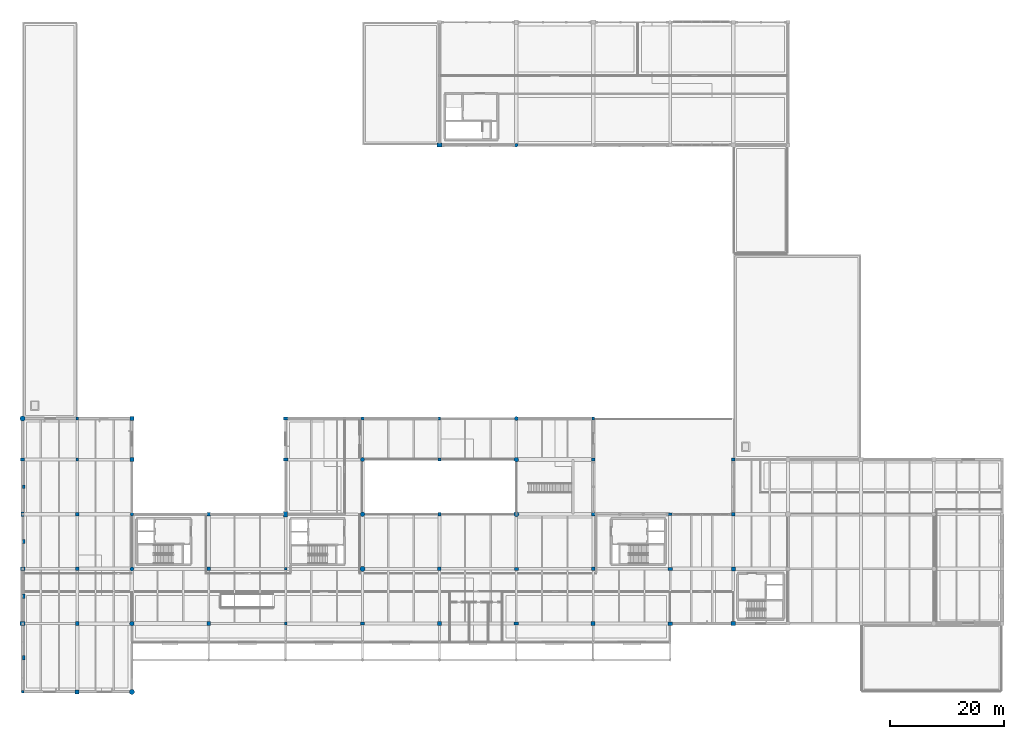
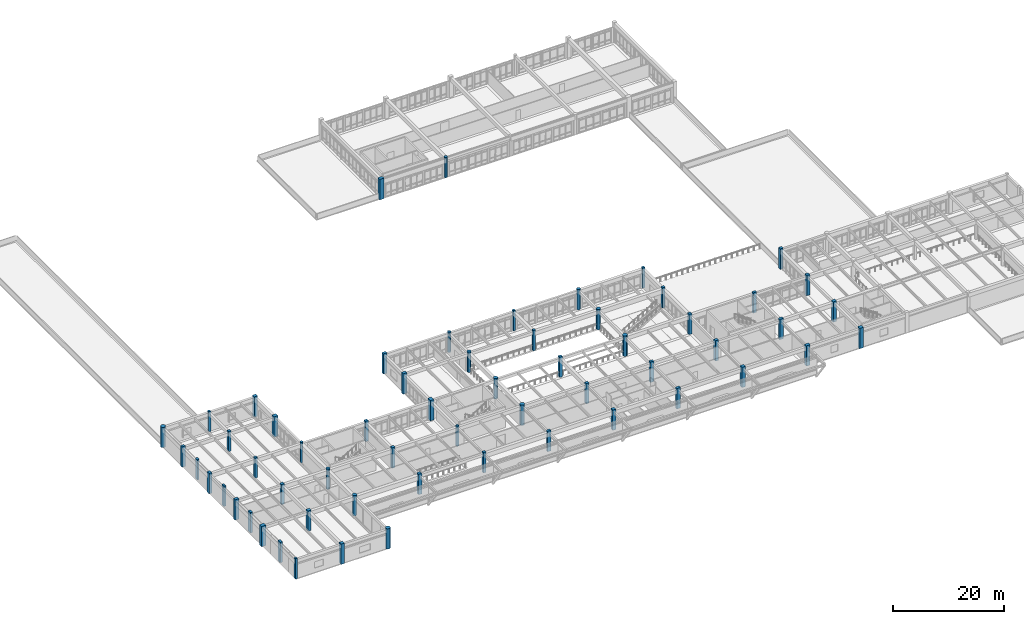
# One storey, part 1 of 109: 59 columns.
"""IFC4 building model written with IfcOpenShell, lengths in metres."""

from ifc_helpers import new_model, si_unit, direction, frame, origin, origin_2d, place, context, subcontext, project, spatial, rectangle, circle, extrude, material, material_profile, profile_set, type_object, element, save


model = new_model("IFC4")

# Units and contexts
model_context = context("Model", 3, precision=1e-05, world=origin(), true_north=direction((0.0, 1.0)))
body_context = subcontext(model_context, "Body", "Model", "MODEL_VIEW")
ifc_project = project(units=[si_unit("LENGTHUNIT", "METRE"), si_unit("AREAUNIT", "SQUARE_METRE"), si_unit("VOLUMEUNIT", "CUBIC_METRE"), si_unit("PLANEANGLEUNIT", "RADIAN"), si_unit("MASSUNIT", "GRAM", prefix="KILO")], contexts=[model_context])

# Site, building, storey
site_placement = place(None, origin())
site = spatial("IfcSite", under=ifc_project, at=site_placement, CompositionType="ELEMENT")
building_placement = place(site_placement, origin())
building = spatial("IfcBuilding", under=site, at=building_placement, Name="Fikremerkos Civic Library", CompositionType="ELEMENT")
storey_placement = place(building_placement, frame((0.0, 0.0, 5.39990234375)))
storey = spatial("IfcBuildingStorey", under=building, at=storey_placement, Name="L01", CompositionType="ELEMENT", Elevation=5.39990234375)

# Columns
ifc_material_1 = material(Name="Concrete C40/50", Category="concrete")
ifc_material_profile_1 = material_profile(ifc_material_1, rectangle(XDim=0.75, YDim=0.75, at=origin_2d()), Name="RC 750x750")
ifc_profile_set_1 = profile_set([ifc_material_profile_1], Name="Concrete C40/50")
column_type_1 = type_object("IfcColumnType", Name="Structural column COL-06 RC 750x750", PredefinedType="COLUMN", material=ifc_profile_set_1)
for number, where, z_axis, x_axis, name in (
    (1, (19.199951171875, 40.800048828125, 0.0), (0.0, 0.0, 1.0), (1.0, 0.0, 0.0), "Column COL-06 L01 3/H"),
    (2, (124.800048828125, 12.0, 0.0), (0.0, 0.0, 1.0), (1.0, 0.0, 0.0), "Column COL-06 L01 11/E"),
):
    element("IfcColumn", number, at=place(storey_placement, frame(where, z_axis=z_axis, x_axis=x_axis)), inside=storey, type_object=column_type_1, Name=name, PredefinedType="COLUMN", context=body_context, shape_type="SweptSolid", body=[
        extrude(rectangle(XDim=0.75, YDim=0.75, at=origin_2d()), origin(), (0.0, 0.0, 1.0), 4.5),
    ])
ifc_material_profile_2 = material_profile(ifc_material_1, rectangle(XDim=0.699951171875, YDim=0.699951171875, at=origin_2d()), Name="RC 700x700")
ifc_profile_set_2 = profile_set([ifc_material_profile_2], Name="Concrete C40/50")
column_type_2 = type_object("IfcColumnType", Name="Structural column COL-07 RC 700x700", PredefinedType="COLUMN", material=ifc_profile_set_2)
for number, where, z_axis, x_axis, name in (
    (3, (9.60009765625, 0.0, 0.0), (0.0, 0.0, 1.0), (1.0, 0.0, 0.0), "Column COL-07 L01 2/A"),
    (4, (19.199951171875, 48.0, 0.0), (0.0, 0.0, 1.0), (1.0, 0.0, 0.0), "Column COL-07 L01 3/J"),
    (5, (100.199951171875, 12.0, 0.0), (0.0, 0.0, 1.0), (1.0, 0.0, 0.0), "Column COL-07 L01 9/E"),
    (6, (124.800048828125, 21.60009765625, 0.0), (0.0, 0.0, 1.0), (1.0, 0.0, 0.0), "Column COL-07 L01 11/F"),
):
    element("IfcColumn", number, at=place(storey_placement, frame(where, z_axis=z_axis, x_axis=x_axis)), inside=storey, type_object=column_type_2, Name=name, PredefinedType="COLUMN", context=body_context, shape_type="SweptSolid", body=[
        extrude(rectangle(XDim=0.699951171875, YDim=0.699951171875, at=origin_2d()), origin(), (0.0, 0.0, 1.0), 4.5),
    ])
ifc_material_profile_3 = material_profile(ifc_material_1, rectangle(XDim=0.64990234375, YDim=0.64990234375, at=origin_2d()), Name="RC 650x650")
ifc_profile_set_3 = profile_set([ifc_material_profile_3], Name="Concrete C40/50")
column_type_3 = type_object("IfcColumnType", Name="Structural column COL-08 RC 650x650", PredefinedType="COLUMN", material=ifc_profile_set_3)
for number, where, z_axis, x_axis, name in (
    (7, (9.60009765625, 12.0, 0.0), (0.0, 0.0, 1.0), (1.0, 0.0, 0.0), "Column COL-08 L01 2/E"),
    (8, (32.699951171875, 12.0, 0.0), (0.0, 0.0, 1.0), (1.0, 0.0, 0.0), "Column COL-08 L01 4/E"),
    (9, (73.199951171875, 12.0, 0.0), (0.0, 0.0, 1.0), (1.0, 0.0, 0.0), "Column COL-08 L01 7/E"),
    (10, (100.199951171875, 21.60009765625, 0.0), (0.0, 0.0, 1.0), (1.0, 0.0, 0.0), "Column COL-08 L01 9/F"),
    (11, (124.800048828125, 31.199951171875, 0.0), (0.0, 0.0, 1.0), (1.0, 0.0, 0.0), "Column COL-08 L01 11/G"),
):
    element("IfcColumn", number, at=place(storey_placement, frame(where, z_axis=z_axis, x_axis=x_axis)), inside=storey, type_object=column_type_3, Name=name, PredefinedType="COLUMN", context=body_context, shape_type="SweptSolid", body=[
        extrude(rectangle(XDim=0.64990234375, YDim=0.64990234375, at=origin_2d()), origin(), (0.0, 0.0, 1.0), 4.5),
    ])
ifc_material_profile_4 = material_profile(ifc_material_1, rectangle(XDim=0.60009765625, YDim=0.60009765625, at=origin_2d()), Name="RC 600x600")
ifc_profile_set_4 = profile_set([ifc_material_profile_4], Name="Concrete C40/50")
column_type_4 = type_object("IfcColumnType", Name="Structural column COL-09 RC 600x600", PredefinedType="COLUMN", material=ifc_profile_set_4)
for number, where, z_axis, x_axis, name in (
    (12, (9.60009765625, 21.60009765625, 0.0), (0.0, 0.0, 1.0), (1.0, 0.0, 0.0), "Column COL-09 L01 2/F"),
    (13, (32.699951171875, 21.60009765625, 0.0), (0.0, 0.0, 1.0), (1.0, 0.0, 0.0), "Column COL-09 L01 4/F"),
    (14, (73.199951171875, 21.60009765625, 0.0), (0.0, 0.0, 1.0), (1.0, 0.0, 0.0), "Column COL-09 L01 7/F"),
    (15, (100.199951171875, 31.199951171875, 0.0), (0.0, 0.0, 1.0), (1.0, 0.0, 0.0), "Column COL-09 L01 9/G"),
    (16, (124.800048828125, 40.800048828125, 0.0), (0.0, 0.0, 1.0), (1.0, 0.0, 0.0), "Column COL-09 L01 11/H"),
):
    element("IfcColumn", number, at=place(storey_placement, frame(where, z_axis=z_axis, x_axis=x_axis)), inside=storey, type_object=column_type_4, Name=name, PredefinedType="COLUMN", context=body_context, shape_type="SweptSolid", body=[
        extrude(rectangle(XDim=0.60009765625, YDim=0.60009765625, at=origin_2d()), origin(), (0.0, 0.0, 1.0), 4.5),
    ])
ifc_material_profile_5 = material_profile(ifc_material_1, rectangle(XDim=0.550048828125, YDim=0.550048828125, at=origin_2d()), Name="RC 550x550")
ifc_profile_set_5 = profile_set([ifc_material_profile_5], Name="Concrete C40/50")
column_type_5 = type_object("IfcColumnType", Name="Structural column COL-10 RC 550x550", PredefinedType="COLUMN", material=ifc_profile_set_5)
for number, where, z_axis, x_axis, name in (
    (17, (9.60009765625, 31.199951171875, 0.0), (0.0, 0.0, 1.0), (1.0, 0.0, 0.0), "Column COL-10 L01 2/G"),
    (18, (32.699951171875, 31.199951171875, 0.0), (0.0, 0.0, 1.0), (1.0, 0.0, 0.0), "Column COL-10 L01 4/G"),
    (19, (73.199951171875, 31.199951171875, 0.0), (0.0, 0.0, 1.0), (1.0, 0.0, 0.0), "Column COL-10 L01 7/G"),
    (20, (100.199951171875, 40.800048828125, 0.0), (0.0, 0.0, 1.0), (1.0, 0.0, 0.0), "Column COL-10 L01 9/H"),
):
    element("IfcColumn", number, at=place(storey_placement, frame(where, z_axis=z_axis, x_axis=x_axis)), inside=storey, type_object=column_type_5, Name=name, PredefinedType="COLUMN", context=body_context, shape_type="SweptSolid", body=[
        extrude(rectangle(XDim=0.550048828125, YDim=0.550048828125, at=origin_2d()), origin(), (0.0, 0.0, 1.0), 4.5),
    ])
ifc_material_profile_6 = material_profile(ifc_material_1, rectangle(XDim=0.5, YDim=0.5, at=origin_2d()), Name="RC 500x500")
ifc_profile_set_6 = profile_set([ifc_material_profile_6], Name="Concrete C40/50")
column_type_6 = type_object("IfcColumnType", Name="Structural column COL-11 RC 500x500", PredefinedType="COLUMN", material=ifc_profile_set_6)
for number, where, z_axis, x_axis, name in (
    (21, (9.60009765625, 40.800048828125, 0.0), (0.0, 0.0, 1.0), (1.0, 0.0, 0.0), "Column COL-11 L01 2/H"),
    (22, (46.199951171875, 12.0, 0.0), (0.0, 0.0, 1.0), (1.0, 0.0, 0.0), "Column COL-11 L01 5/E"),
    (23, (73.199951171875, 40.800048828125, 0.0), (0.0, 0.0, 1.0), (1.0, 0.0, 0.0), "Column COL-11 L01 7/H"),
    (24, (100.199951171875, 48.0, 0.0), (0.0, 0.0, 1.0), (1.0, 0.0, 0.0), "Column COL-11 L01 9/J"),
):
    element("IfcColumn", number, at=place(storey_placement, frame(where, z_axis=z_axis, x_axis=x_axis)), inside=storey, type_object=column_type_6, Name=name, PredefinedType="COLUMN", context=body_context, shape_type="SweptSolid", body=[
        extrude(rectangle(XDim=0.5, YDim=0.5, at=origin_2d()), origin(), (0.0, 0.0, 1.0), 4.5),
    ])
ifc_material_profile_7 = material_profile(ifc_material_1, rectangle(XDim=0.449951171875, YDim=0.449951171875, at=origin_2d()), Name="RC 450x450")
ifc_profile_set_7 = profile_set([ifc_material_profile_7], Name="Concrete C40/50")
column_type_7 = type_object("IfcColumnType", Name="Structural column COL-12 RC 450x450", PredefinedType="COLUMN", material=ifc_profile_set_7)
for number, where, z_axis, x_axis, name in (
    (25, (0.0, 0.0, 0.0), (0.0, 0.0, 1.0), (1.0, 0.0, 0.0), "Column COL-12 L01 1/A"),
    (26, (9.60009765625, 48.0, 0.0), (0.0, 0.0, 1.0), (1.0, 0.0, 0.0), "Column COL-12 L01 2/J"),
    (27, (46.199951171875, 21.60009765625, 0.0), (0.0, 0.0, 1.0), (1.0, 0.0, 0.0), "Column COL-12 L01 5/F"),
    (28, (73.199951171875, 48.0, 0.0), (0.0, 0.0, 1.0), (1.0, 0.0, 0.0), "Column COL-12 L01 7/J"),
):
    element("IfcColumn", number, at=place(storey_placement, frame(where, z_axis=z_axis, x_axis=x_axis)), inside=storey, type_object=column_type_7, Name=name, PredefinedType="COLUMN", context=body_context, shape_type="SweptSolid", body=[
        extrude(rectangle(XDim=0.449951171875, YDim=0.449951171875, at=origin_2d()), origin(), (0.0, 0.0, 1.0), 4.5),
    ])
ifc_material_profile_8 = material_profile(ifc_material_1, rectangle(XDim=0.89990234375, YDim=0.699951171875, at=origin_2d()), Name="RC 900x700")
ifc_profile_set_8 = profile_set([ifc_material_profile_8], Name="Concrete C40/50")
column_type_8 = type_object("IfcColumnType", Name="Structural column COL-13 RC 900x700", PredefinedType="COLUMN", material=ifc_profile_set_8)
for number, where, z_axis, x_axis, name in (
    (29, (0.0, 12.0, 0.0), (0.0, 0.0, 1.0), (1.0, 0.0, 0.0), "Column COL-13 L01 1/E"),
    (30, (46.199951171875, 31.199951171875, 0.0), (0.0, 0.0, 1.0), (0.0, 1.0, 0.0), "Column COL-13 L01 5/G"),
    (31, (73.199951171875, 96.0, 0.0), (0.0, 0.0, 1.0), (1.0, 0.0, 0.0), "Column COL-13 L01 7/M"),
):
    element("IfcColumn", number, at=place(storey_placement, frame(where, z_axis=z_axis, x_axis=x_axis)), inside=storey, type_object=column_type_8, Name=name, PredefinedType="COLUMN", context=body_context, shape_type="SweptSolid", body=[
        extrude(rectangle(XDim=0.89990234375, YDim=0.699951171875, at=origin_2d()), origin(), (0.0, 0.0, 1.0), 4.5),
    ])
ifc_material_profile_9 = material_profile(ifc_material_1, rectangle(XDim=0.800048828125, YDim=0.60009765625, at=origin_2d()), Name="RC 800x600")
ifc_profile_set_9 = profile_set([ifc_material_profile_9], Name="Concrete C40/50")
column_type_9 = type_object("IfcColumnType", Name="Structural column COL-14 RC 800x600", PredefinedType="COLUMN", material=ifc_profile_set_9)
for number, where, z_axis, x_axis, name in (
    (32, (0.0, 21.60009765625, 0.0), (0.0, 0.0, 1.0), (1.0, 0.0, 0.0), "Column COL-14 L01 1/F"),
    (33, (46.199951171875, 40.800048828125, 0.0), (0.0, 0.0, 1.0), (1.0, 0.0, 0.0), "Column COL-14 L01 5/H"),
    (34, (113.699951171875, 12.0, 0.0), (0.0, 0.0, 1.0), (1.0, 0.0, 0.0), "Column COL-14 L01 10/E"),
):
    element("IfcColumn", number, at=place(storey_placement, frame(where, z_axis=z_axis, x_axis=x_axis)), inside=storey, type_object=column_type_9, Name=name, PredefinedType="COLUMN", context=body_context, shape_type="SweptSolid", body=[
        extrude(rectangle(XDim=0.800048828125, YDim=0.60009765625, at=origin_2d()), origin(), (0.0, 0.0, 1.0), 4.5),
    ])
ifc_material_profile_10 = material_profile(ifc_material_1, rectangle(XDim=0.75, YDim=0.550048828125, at=origin_2d()), Name="RC 750x550")
ifc_profile_set_10 = profile_set([ifc_material_profile_10], Name="Concrete C40/50")
column_type_10 = type_object("IfcColumnType", Name="Structural column COL-15 RC 750x550", PredefinedType="COLUMN", material=ifc_profile_set_10)
for number, where, z_axis, x_axis, name in (
    (35, (0.0, 31.199951171875, 0.0), (0.0, 0.0, 1.0), (0.0, 1.0, 0.0), "Column COL-15 L01 1/G"),
    (36, (46.199951171875, 48.0, 0.0), (0.0, 0.0, 1.0), (1.0, 0.0, 0.0), "Column COL-15 L01 5/J"),
    (37, (86.699951171875, 12.0, 0.0), (0.0, 0.0, 1.0), (1.0, 0.0, 0.0), "Column COL-15 L01 8/E"),
    (38, (113.699951171875, 21.60009765625, 0.0), (0.0, 0.0, 1.0), (1.0, 0.0, 0.0), "Column COL-15 L01 10/F"),
):
    element("IfcColumn", number, at=place(storey_placement, frame(where, z_axis=z_axis, x_axis=x_axis)), inside=storey, type_object=column_type_10, Name=name, PredefinedType="COLUMN", context=body_context, shape_type="SweptSolid", body=[
        extrude(rectangle(XDim=0.75, YDim=0.550048828125, at=origin_2d()), origin(), (0.0, 0.0, 1.0), 4.5),
    ])
ifc_material_profile_11 = material_profile(ifc_material_1, rectangle(XDim=0.699951171875, YDim=0.5, at=origin_2d()), Name="RC 700x500")
ifc_profile_set_11 = profile_set([ifc_material_profile_11], Name="Concrete C40/50")
column_type_11 = type_object("IfcColumnType", Name="Structural column COL-16 RC 700x500", PredefinedType="COLUMN", material=ifc_profile_set_11)
for number, where, z_axis, x_axis, name in (
    (39, (0.0, 40.800048828125, 0.0), (0.0, 0.0, 1.0), (1.0, 0.0, 0.0), "Column COL-16 L01 1/H"),
    (40, (59.699951171875, 12.0, 0.0), (0.0, 0.0, 1.0), (1.0, 0.0, 0.0), "Column COL-16 L01 6/E"),
    (41, (86.699951171875, 21.60009765625, 0.0), (0.0, 0.0, 1.0), (1.0, 0.0, 0.0), "Column COL-16 L01 8/F"),
    (42, (113.699951171875, 31.199951171875, 0.0), (0.0, 0.0, 1.0), (1.0, 0.0, 0.0), "Column COL-16 L01 10/G"),
):
    element("IfcColumn", number, at=place(storey_placement, frame(where, z_axis=z_axis, x_axis=x_axis)), inside=storey, type_object=column_type_11, Name=name, PredefinedType="COLUMN", context=body_context, shape_type="SweptSolid", body=[
        extrude(rectangle(XDim=0.699951171875, YDim=0.5, at=origin_2d()), origin(), (0.0, 0.0, 1.0), 4.5),
    ])
ifc_material_2 = material(Name="Concrete C45/55", Category="concrete")
ifc_material_profile_12 = material_profile(ifc_material_2, circle(Radius=0.449951171875, at=origin_2d()), Name="RC D900")
ifc_profile_set_12 = profile_set([ifc_material_profile_12], Name="Concrete C45/55")
column_type_12 = type_object("IfcColumnType", Name="Structural column COL-17 RC D900", PredefinedType="COLUMN", material=ifc_profile_set_12)
for number, where, z_axis, x_axis, name in (
    (43, (0.0, 48.0, 0.0), (0.0, 0.0, 1.0), (1.0, 0.0, 0.0), "Column COL-17 L01 1/J"),
    (44, (19.199951171875, 0.0, 0.0), (0.0, 0.0, 1.0), (1.0, 0.0, 0.0), "Column COL-17 L01 3/A"),
    (45, (59.699951171875, 21.60009765625, 0.0), (0.0, 0.0, 1.0), (1.0, 0.0, 0.0), "Column COL-17 L01 6/F"),
    (46, (86.699951171875, 31.199951171875, 0.0), (0.0, 0.0, 1.0), (1.0, 0.0, 0.0), "Column COL-17 L01 8/G"),
):
    element("IfcColumn", number, at=place(storey_placement, frame(where, z_axis=z_axis, x_axis=x_axis)), inside=storey, type_object=column_type_12, Name=name, PredefinedType="COLUMN", context=body_context, shape_type="SweptSolid", body=[
        extrude(circle(Radius=0.449951171875, at=origin_2d()), origin(), (0.0, 0.0, 1.0), 4.5),
    ])
ifc_material_profile_13 = material_profile(ifc_material_1, circle(Radius=0.39990234375, at=origin_2d()), Name="RC D800")
ifc_profile_set_13 = profile_set([ifc_material_profile_13], Name="Concrete C40/50")
column_type_13 = type_object("IfcColumnType", Name="Structural column COL-18 RC D800", PredefinedType="COLUMN", material=ifc_profile_set_13)
for number, where, z_axis, x_axis, name in (
    (47, (19.199951171875, 12.0, 0.0), (0.0, 0.0, 1.0), (1.0, 0.0, 0.0), "Column COL-18 L01 3/E"),
    (48, (59.699951171875, 31.199951171875, 0.0), (0.0, 0.0, 1.0), (1.0, 0.0, 0.0), "Column COL-18 L01 6/G"),
    (49, (86.699951171875, 40.800048828125, 0.0), (0.0, 0.0, 1.0), (1.0, 0.0, 0.0), "Column COL-18 L01 8/H"),
):
    element("IfcColumn", number, at=place(storey_placement, frame(where, z_axis=z_axis, x_axis=x_axis)), inside=storey, type_object=column_type_13, Name=name, PredefinedType="COLUMN", context=body_context, shape_type="SweptSolid", body=[
        extrude(circle(Radius=0.39990234375, at=origin_2d()), origin(), (0.0, 0.0, 1.0), 4.5),
    ])
ifc_material_profile_14 = material_profile(ifc_material_1, circle(Radius=0.35009765625, at=origin_2d()), Name="RC D700")
ifc_profile_set_14 = profile_set([ifc_material_profile_14], Name="Concrete C40/50")
column_type_14 = type_object("IfcColumnType", Name="Structural column COL-19 RC D700", PredefinedType="COLUMN", material=ifc_profile_set_14)
for number, where, z_axis, x_axis, name in (
    (50, (19.199951171875, 21.60009765625, 0.0), (0.0, 0.0, 1.0), (1.0, 0.0, 0.0), "Column COL-19 L01 3/F"),
    (51, (59.699951171875, 40.800048828125, 0.0), (0.0, 0.0, 1.0), (1.0, 0.0, 0.0), "Column COL-19 L01 6/H"),
    (52, (86.699951171875, 48.0, 0.0), (0.0, 0.0, 1.0), (1.0, 0.0, 0.0), "Column COL-19 L01 8/J"),
):
    element("IfcColumn", number, at=place(storey_placement, frame(where, z_axis=z_axis, x_axis=x_axis)), inside=storey, type_object=column_type_14, Name=name, PredefinedType="COLUMN", context=body_context, shape_type="SweptSolid", body=[
        extrude(circle(Radius=0.35009765625, at=origin_2d()), origin(), (0.0, 0.0, 1.0), 4.5),
    ])
ifc_material_profile_15 = material_profile(ifc_material_1, circle(Radius=0.300048828125, at=origin_2d()), Name="RC D600")
ifc_profile_set_15 = profile_set([ifc_material_profile_15], Name="Concrete C40/50")
column_type_15 = type_object("IfcColumnType", Name="Structural column COL-20 RC D600", PredefinedType="COLUMN", material=ifc_profile_set_15)
for number, where, z_axis, x_axis, name in (
    (53, (19.199951171875, 31.199951171875, 0.0), (0.0, 0.0, 1.0), (1.0, 0.0, 0.0), "Column COL-20 L01 3/G"),
    (54, (59.699951171875, 48.0, 0.0), (0.0, 0.0, 1.0), (1.0, 0.0, 0.0), "Column COL-20 L01 6/J"),
    (55, (86.699951171875, 96.0, 0.0), (0.0, 0.0, 1.0), (1.0, 0.0, 0.0), "Column COL-20 L01 8/M"),
):
    element("IfcColumn", number, at=place(storey_placement, frame(where, z_axis=z_axis, x_axis=x_axis)), inside=storey, type_object=column_type_15, Name=name, PredefinedType="COLUMN", context=body_context, shape_type="SweptSolid", body=[
        extrude(circle(Radius=0.300048828125, at=origin_2d()), origin(), (0.0, 0.0, 1.0), 4.5),
    ])
ifc_material_profile_16 = material_profile(ifc_material_1, rectangle(XDim=0.449951171875, YDim=0.800048828125, at=origin_2d()), Name="RC 450x800")
ifc_profile_set_16 = profile_set([ifc_material_profile_16], Name="Concrete C40/50")
column_type_16 = type_object("IfcColumnType", Name="Wall pilaster PIL-01 RC 450x800", PredefinedType="PILASTER", material=ifc_profile_set_16)
for number, where, z_axis, x_axis, name in (
    (56, (0.219970703125, 6.0, 0.0), (0.0, 0.0, 1.0), (1.0, 0.0, 0.0), "Wall pilaster PIL-01 L01 W1"),
    (57, (0.219970703125, 16.800048828125, 0.0), (0.0, 0.0, 1.0), (1.0, 0.0, 0.0), "Wall pilaster PIL-01 L01 W2"),
):
    element("IfcColumn", number, at=place(storey_placement, frame(where, z_axis=z_axis, x_axis=x_axis)), inside=storey, type_object=column_type_16, Name=name, PredefinedType="PILASTER", context=body_context, shape_type="SweptSolid", body=[
        extrude(rectangle(XDim=0.449951171875, YDim=0.800048828125, at=origin_2d()), origin(), (0.0, 0.0, 1.0), 4.5),
    ])
ifc_material_profile_17 = material_profile(ifc_material_1, rectangle(XDim=0.39990234375, YDim=0.75, at=origin_2d()), Name="RC 400x750")
ifc_profile_set_17 = profile_set([ifc_material_profile_17], Name="Concrete C40/50")
column_type_17 = type_object("IfcColumnType", Name="Wall pilaster PIL-02 RC 400x750", PredefinedType="PILASTER", material=ifc_profile_set_17)
column_1_placement = place(storey_placement, frame((0.219970703125, 26.39990234375, 0.0), z_axis=(0.0, 0.0, 1.0), x_axis=(1.0, 0.0, 0.0)))
element("IfcColumn", 58, at=column_1_placement, inside=storey, type_object=column_type_17, Name="Wall pilaster PIL-02 L01 W3", PredefinedType="PILASTER", context=body_context, shape_type="SweptSolid", body=[
    extrude(rectangle(XDim=0.39990234375, YDim=0.75, at=origin_2d()), origin(), (0.0, 0.0, 1.0), 4.5),
])
ifc_material_profile_18 = material_profile(ifc_material_1, rectangle(XDim=0.39990234375, YDim=0.64990234375, at=origin_2d()), Name="RC 400x650")
ifc_profile_set_18 = profile_set([ifc_material_profile_18], Name="Concrete C40/50")
column_type_18 = type_object("IfcColumnType", Name="Wall pilaster PIL-03 RC 400x650", PredefinedType="PILASTER", material=ifc_profile_set_18)
column_2_placement = place(storey_placement, frame((0.219970703125, 36.0, 0.0), z_axis=(0.0, 0.0, 1.0), x_axis=(1.0, 0.0, 0.0)))
element("IfcColumn", 59, at=column_2_placement, inside=storey, type_object=column_type_18, Name="Wall pilaster PIL-03 L01 W4", PredefinedType="PILASTER", context=body_context, shape_type="SweptSolid", body=[
    extrude(rectangle(XDim=0.39990234375, YDim=0.64990234375, at=origin_2d()), origin(), (0.0, 0.0, 1.0), 4.5),
])

save(model, "model.ifc")
